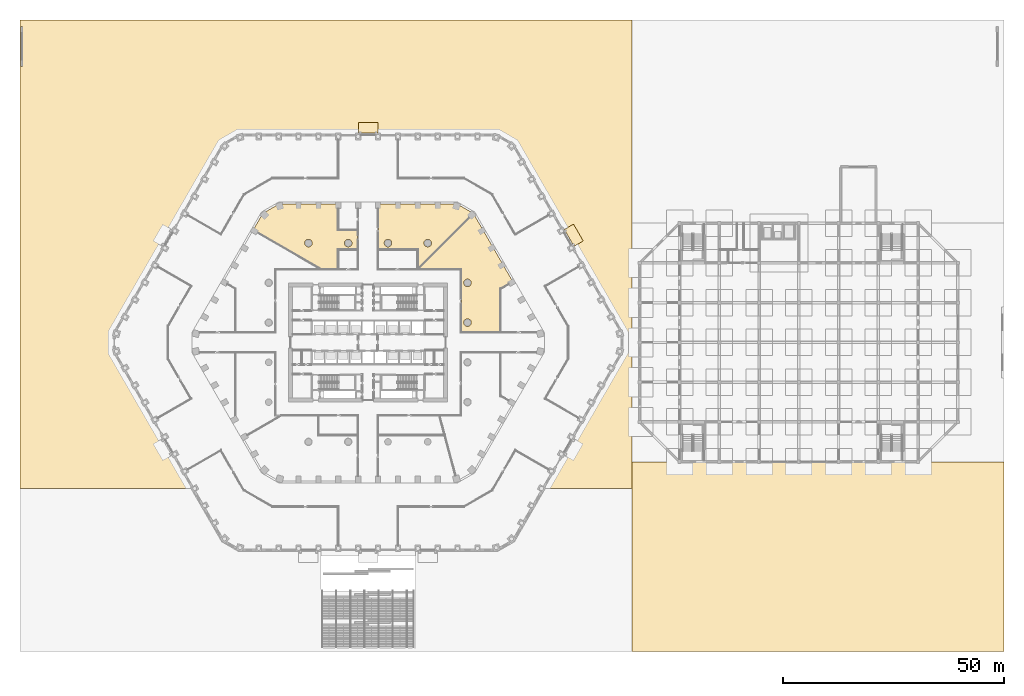
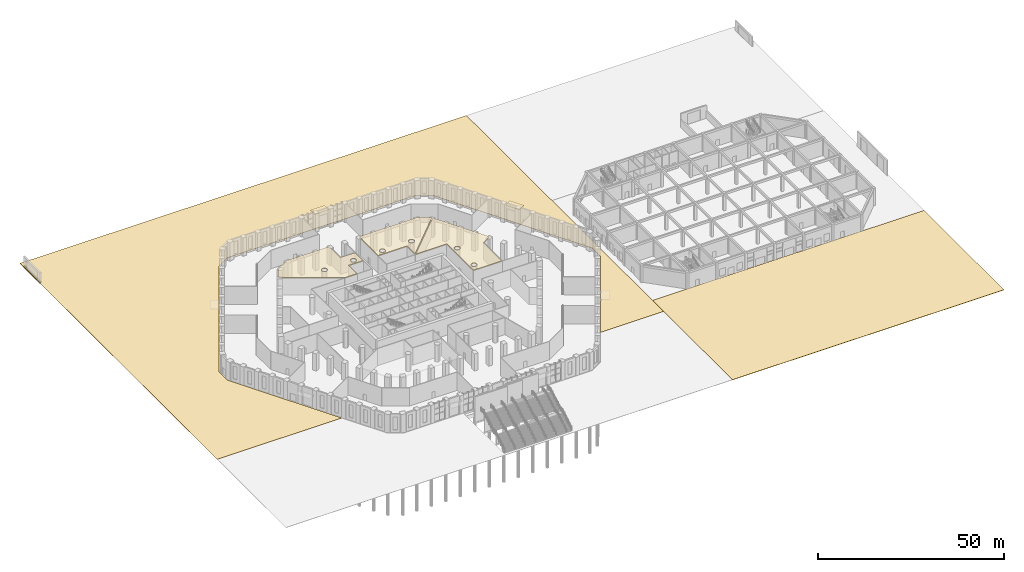
# One storey, part 37 of 44: 7 coverings.
"""IFC4 building model written with IfcOpenShell, lengths in metres."""

from ifc_helpers import new_model, si_unit, direction, frame, origin, origin_2d, place, context, subcontext, project, spatial, polyline, rectangle, outline, extrude, material, layer, layer_set, type_object, element, save


model = new_model("IFC4")

# Units and contexts
model_context = context("Model", 3, precision=1e-05, world=origin(), true_north=direction((0.0, 1.0)))
body_context = subcontext(model_context, "Body", "Model", "MODEL_VIEW")
ifc_project = project(units=[si_unit("LENGTHUNIT", "METRE"), si_unit("AREAUNIT", "SQUARE_METRE"), si_unit("VOLUMEUNIT", "CUBIC_METRE"), si_unit("PLANEANGLEUNIT", "RADIAN"), si_unit("MASSUNIT", "GRAM", prefix="KILO")], contexts=[model_context])

# Site, building, storey
site_placement = place(None, origin())
site = spatial("IfcSite", under=ifc_project, at=site_placement, CompositionType="ELEMENT")
building_placement = place(site_placement, origin())
building = spatial("IfcBuilding", under=site, at=building_placement, Name="Dhurran Vertical Campus", CompositionType="ELEMENT")
storey_placement = place(building_placement, origin())
storey = spatial("IfcBuildingStorey", under=building, at=storey_placement, Name="L00", CompositionType="ELEMENT", Elevation=0.0)

# Coverings
ifc_material_1 = material(Name="Precast concrete C50/60", Category="concrete")
ifc_layer_1 = layer(ifc_material_1, 0.14990234375)
ifc_layer_set_1 = layer_set([ifc_layer_1], Name="Precast concrete C50/60")
covering_type_1 = type_object("IfcCoveringType", Name="Entrance canopy precast 150", PredefinedType="USERDEFINED", material=ifc_layer_set_1)
for number, where, z_axis, x_axis, name in (
    (1, (46.561279296875, 24.2841796875, 4.60009765625), (0.0, 0.0, 1.0), (-0.5, 0.866025403784, 0.0), "CN1 D006 entrance canopy"),
    (2, (0.0, 48.568359375, 4.60009765625), (0.0, 0.0, 1.0), (-1.0, 0.0, 0.0), "CN1 D004 entrance canopy"),
):
    element("IfcCovering", number, at=place(storey_placement, frame(where, z_axis=z_axis, x_axis=x_axis)), inside=storey, type_object=covering_type_1, Name=name, ObjectType="CANOPY", PredefinedType="USERDEFINED", context=body_context, shape_type="SweptSolid", body=[
        extrude(rectangle(XDim=4.39990234375, YDim=2.39990234375, at=origin_2d()), origin(), (0.0, 0.0, 1.0), 0.14990234375),
    ])
ifc_material_2 = material(Name="Mineral fibre ceiling tiles on suspended grid")
ifc_layer_2 = layer(ifc_material_2, 0.35009765625)
ifc_layer_set_2 = layer_set([ifc_layer_2], Name="Mineral fibre ceiling tiles on suspended grid")
covering_type_2 = type_object("IfcCoveringType", Name="fl-CE-350 suspended ceiling", PredefinedType="CEILING", material=ifc_layer_set_2)
covering_1_placement = place(storey_placement, frame((0.0, 0.0, 5.25)))
element("IfcCovering", 3, at=covering_1_placement, inside=storey, type_object=covering_type_2, Name="Ceiling 00-23", PredefinedType="CEILING", context=body_context, shape_type="SweptSolid", body=[
    extrude(outline(polyline([(-20.137939453125, 31.360107421875), (-6.8701171875, 31.360107421875), (-6.8701171875, 25.3798828125), (-2.3701171875, 25.3798828125), (-2.3701171875, 21.1201171875), (-6.8701171875, 21.1201171875), (-6.8701171875, 16.6201171875), (-10.547119140625, 16.6201171875), (-25.972900390625, 25.527099609375), (-23.839111328125, 29.221923828125), (-20.137939453125, 31.360107421875)]), holes=[polyline([(-13.09912109375, 23.25), (-13.175048828125, 23.284912109375), (-13.2529296875, 23.31298828125), (-13.333984375, 23.333984375), (-13.4169921875, 23.345947265625), (-13.5, 23.35009765625), (-13.5830078125, 23.345947265625), (-13.666015625, 23.333984375), (-13.7470703125, 23.31298828125), (-13.824951171875, 23.284912109375), (-13.90087890625, 23.25), (-13.971923828125, 23.20703125), (-14.0390625, 23.156982421875), (-14.10107421875, 23.10107421875), (-14.156982421875, 23.0390625), (-14.20703125, 22.971923828125), (-14.25, 22.90087890625), (-14.284912109375, 22.824951171875), (-14.31298828125, 22.7470703125), (-14.333984375, 22.666015625), (-14.345947265625, 22.5830078125), (-14.35009765625, 22.5), (-14.345947265625, 22.4169921875), (-14.333984375, 22.333984375), (-14.31298828125, 22.2529296875), (-14.284912109375, 22.175048828125), (-14.25, 22.09912109375), (-14.20703125, 22.028076171875), (-14.156982421875, 21.9609375), (-14.10107421875, 21.89892578125), (-14.0390625, 21.843017578125), (-13.971923828125, 21.79296875), (-13.90087890625, 21.75), (-13.824951171875, 21.715087890625), (-13.7470703125, 21.68701171875), (-13.666015625, 21.666015625), (-13.5830078125, 21.654052734375), (-13.5, 21.64990234375), (-13.4169921875, 21.654052734375), (-13.333984375, 21.666015625), (-13.2529296875, 21.68701171875), (-13.175048828125, 21.715087890625), (-13.09912109375, 21.75), (-13.028076171875, 21.79296875), (-12.9609375, 21.843017578125), (-12.89892578125, 21.89892578125), (-12.843017578125, 21.9609375), (-12.79296875, 22.028076171875), (-12.75, 22.09912109375), (-12.715087890625, 22.175048828125), (-12.68701171875, 22.2529296875), (-12.666015625, 22.333984375), (-12.654052734375, 22.4169921875), (-12.64990234375, 22.5), (-12.654052734375, 22.5830078125), (-12.666015625, 22.666015625), (-12.68701171875, 22.7470703125), (-12.715087890625, 22.824951171875), (-12.75, 22.90087890625), (-12.79296875, 22.971923828125), (-12.843017578125, 23.0390625), (-12.89892578125, 23.10107421875), (-12.9609375, 23.156982421875), (-13.028076171875, 23.20703125), (-13.09912109375, 23.25)]), polyline([(-3.9609375, 23.156982421875), (-4.028076171875, 23.20703125), (-4.09912109375, 23.25), (-4.175048828125, 23.284912109375), (-4.2529296875, 23.31298828125), (-4.333984375, 23.333984375), (-4.4169921875, 23.345947265625), (-4.5, 23.35009765625), (-4.5830078125, 23.345947265625), (-4.666015625, 23.333984375), (-4.7470703125, 23.31298828125), (-4.824951171875, 23.284912109375), (-4.90087890625, 23.25), (-4.971923828125, 23.20703125), (-5.0390625, 23.156982421875), (-5.10107421875, 23.10107421875), (-5.156982421875, 23.0390625), (-5.20703125, 22.971923828125), (-5.25, 22.90087890625), (-5.284912109375, 22.824951171875), (-5.31298828125, 22.7470703125), (-5.333984375, 22.666015625), (-5.345947265625, 22.5830078125), (-5.35009765625, 22.5), (-5.345947265625, 22.4169921875), (-5.333984375, 22.333984375), (-5.31298828125, 22.2529296875), (-5.284912109375, 22.175048828125), (-5.25, 22.09912109375), (-5.20703125, 22.028076171875), (-5.156982421875, 21.9609375), (-5.10107421875, 21.89892578125), (-5.0390625, 21.843017578125), (-4.971923828125, 21.79296875), (-4.90087890625, 21.75), (-4.824951171875, 21.715087890625), (-4.7470703125, 21.68701171875), (-4.666015625, 21.666015625), (-4.5830078125, 21.654052734375), (-4.5, 21.64990234375), (-4.4169921875, 21.654052734375), (-4.333984375, 21.666015625), (-4.2529296875, 21.68701171875), (-4.175048828125, 21.715087890625), (-4.09912109375, 21.75), (-4.028076171875, 21.79296875), (-3.9609375, 21.843017578125), (-3.89892578125, 21.89892578125), (-3.843017578125, 21.9609375), (-3.79296875, 22.028076171875), (-3.75, 22.09912109375), (-3.715087890625, 22.175048828125), (-3.68701171875, 22.2529296875), (-3.666015625, 22.333984375), (-3.654052734375, 22.4169921875), (-3.64990234375, 22.5), (-3.654052734375, 22.5830078125), (-3.666015625, 22.666015625), (-3.68701171875, 22.7470703125), (-3.715087890625, 22.824951171875), (-3.75, 22.90087890625), (-3.79296875, 22.971923828125), (-3.843017578125, 23.0390625), (-3.89892578125, 23.10107421875), (-3.9609375, 23.156982421875)])]), origin(), (0.0, 0.0, 1.0), 0.35009765625),
])
covering_2_placement = place(storey_placement, frame((0.0, 0.0, 5.25)))
element("IfcCovering", 4, at=covering_2_placement, inside=storey, type_object=covering_type_2, Name="Ceiling 00-30", PredefinedType="CEILING", context=body_context, shape_type="SweptSolid", body=[
    extrude(outline(polyline([(2.3701171875, 21.1201171875), (2.3701171875, 31.360107421875), (20.137939453125, 31.360107421875), (23.73193359375, 29.283935546875), (11.3701171875, 16.923095703125), (11.3701171875, 21.1201171875), (2.3701171875, 21.1201171875)]), holes=[polyline([(5.156982421875, 23.0390625), (5.10107421875, 23.10107421875), (5.0390625, 23.156982421875), (4.971923828125, 23.20703125), (4.90087890625, 23.25), (4.824951171875, 23.284912109375), (4.7470703125, 23.31298828125), (4.666015625, 23.333984375), (4.5830078125, 23.345947265625), (4.5, 23.35009765625), (4.4169921875, 23.345947265625), (4.333984375, 23.333984375), (4.2529296875, 23.31298828125), (4.175048828125, 23.284912109375), (4.09912109375, 23.25), (4.028076171875, 23.20703125), (3.9609375, 23.156982421875), (3.89892578125, 23.10107421875), (3.843017578125, 23.0390625), (3.79296875, 22.971923828125), (3.75, 22.90087890625), (3.715087890625, 22.824951171875), (3.68701171875, 22.7470703125), (3.666015625, 22.666015625), (3.654052734375, 22.5830078125), (3.64990234375, 22.5), (3.654052734375, 22.4169921875), (3.666015625, 22.333984375), (3.68701171875, 22.2529296875), (3.715087890625, 22.175048828125), (3.75, 22.09912109375), (3.79296875, 22.028076171875), (3.843017578125, 21.9609375), (3.89892578125, 21.89892578125), (3.9609375, 21.843017578125), (4.028076171875, 21.79296875), (4.09912109375, 21.75), (4.175048828125, 21.715087890625), (4.2529296875, 21.68701171875), (4.333984375, 21.666015625), (4.4169921875, 21.654052734375), (4.5, 21.64990234375), (4.5830078125, 21.654052734375), (4.666015625, 21.666015625), (4.7470703125, 21.68701171875), (4.824951171875, 21.715087890625), (4.90087890625, 21.75), (4.971923828125, 21.79296875), (5.0390625, 21.843017578125), (5.10107421875, 21.89892578125), (5.156982421875, 21.9609375), (5.20703125, 22.028076171875), (5.25, 22.09912109375), (5.284912109375, 22.175048828125), (5.31298828125, 22.2529296875), (5.333984375, 22.333984375), (5.345947265625, 22.4169921875), (5.35009765625, 22.5), (5.345947265625, 22.5830078125), (5.333984375, 22.666015625), (5.31298828125, 22.7470703125), (5.284912109375, 22.824951171875), (5.25, 22.90087890625), (5.20703125, 22.971923828125), (5.156982421875, 23.0390625)]), polyline([(14.25, 22.90087890625), (14.20703125, 22.971923828125), (14.156982421875, 23.0390625), (14.10107421875, 23.10107421875), (14.0390625, 23.156982421875), (13.971923828125, 23.20703125), (13.90087890625, 23.25), (13.824951171875, 23.284912109375), (13.7470703125, 23.31298828125), (13.666015625, 23.333984375), (13.5830078125, 23.345947265625), (13.5, 23.35009765625), (13.4169921875, 23.345947265625), (13.333984375, 23.333984375), (13.2529296875, 23.31298828125), (13.175048828125, 23.284912109375), (13.09912109375, 23.25), (13.028076171875, 23.20703125), (12.9609375, 23.156982421875), (12.89892578125, 23.10107421875), (12.843017578125, 23.0390625), (12.79296875, 22.971923828125), (12.75, 22.90087890625), (12.715087890625, 22.824951171875), (12.68701171875, 22.7470703125), (12.666015625, 22.666015625), (12.654052734375, 22.5830078125), (12.64990234375, 22.5), (12.654052734375, 22.4169921875), (12.666015625, 22.333984375), (12.68701171875, 22.2529296875), (12.715087890625, 22.175048828125), (12.75, 22.09912109375), (12.79296875, 22.028076171875), (12.843017578125, 21.9609375), (12.89892578125, 21.89892578125), (12.9609375, 21.843017578125), (13.028076171875, 21.79296875), (13.09912109375, 21.75), (13.175048828125, 21.715087890625), (13.2529296875, 21.68701171875), (13.333984375, 21.666015625), (13.4169921875, 21.654052734375), (13.5, 21.64990234375), (13.5830078125, 21.654052734375), (13.666015625, 21.666015625), (13.7470703125, 21.68701171875), (13.824951171875, 21.715087890625), (13.90087890625, 21.75), (13.971923828125, 21.79296875), (14.0390625, 21.843017578125), (14.10107421875, 21.89892578125), (14.156982421875, 21.9609375), (14.20703125, 22.028076171875), (14.25, 22.09912109375), (14.284912109375, 22.175048828125), (14.31298828125, 22.2529296875), (14.333984375, 22.333984375), (14.345947265625, 22.4169921875), (14.35009765625, 22.5), (14.345947265625, 22.5830078125), (14.333984375, 22.666015625), (14.31298828125, 22.7470703125), (14.284912109375, 22.824951171875), (14.25, 22.90087890625)])]), origin(), (0.0, 0.0, 1.0), 0.35009765625),
])
covering_3_placement = place(storey_placement, frame((0.0, 0.0, 5.25)))
element("IfcCovering", 5, at=covering_3_placement, inside=storey, type_object=covering_type_2, Name="Ceiling 00-31", PredefinedType="CEILING", context=body_context, shape_type="SweptSolid", body=[
    extrude(outline(polyline([(32.722900390625, 13.8349609375), (29.8798828125, 12.193115234375), (29.8798828125, 2.3701171875), (21.1201171875, 2.3701171875), (21.1201171875, 16.6201171875), (11.406982421875, 16.6201171875), (23.90087890625, 29.114990234375), (32.722900390625, 13.8349609375)]), holes=[polyline([(23.333984375, 4.666015625), (23.31298828125, 4.7470703125), (23.284912109375, 4.824951171875), (23.25, 4.90087890625), (23.20703125, 4.971923828125), (23.156982421875, 5.0390625), (23.10107421875, 5.10107421875), (23.0390625, 5.156982421875), (22.971923828125, 5.20703125), (22.90087890625, 5.25), (22.824951171875, 5.284912109375), (22.7470703125, 5.31298828125), (22.666015625, 5.333984375), (22.5830078125, 5.345947265625), (22.5, 5.35009765625), (22.4169921875, 5.345947265625), (22.333984375, 5.333984375), (22.2529296875, 5.31298828125), (22.175048828125, 5.284912109375), (22.09912109375, 5.25), (22.028076171875, 5.20703125), (21.9609375, 5.156982421875), (21.89892578125, 5.10107421875), (21.843017578125, 5.0390625), (21.79296875, 4.971923828125), (21.75, 4.90087890625), (21.715087890625, 4.824951171875), (21.68701171875, 4.7470703125), (21.666015625, 4.666015625), (21.654052734375, 4.5830078125), (21.64990234375, 4.5), (21.654052734375, 4.4169921875), (21.666015625, 4.333984375), (21.68701171875, 4.2529296875), (21.715087890625, 4.175048828125), (21.75, 4.09912109375), (21.79296875, 4.028076171875), (21.843017578125, 3.9609375), (21.89892578125, 3.89892578125), (21.9609375, 3.843017578125), (22.028076171875, 3.79296875), (22.09912109375, 3.75), (22.175048828125, 3.715087890625), (22.2529296875, 3.68701171875), (22.333984375, 3.666015625), (22.4169921875, 3.654052734375), (22.5, 3.64990234375), (22.5830078125, 3.654052734375), (22.666015625, 3.666015625), (22.7470703125, 3.68701171875), (22.824951171875, 3.715087890625), (22.90087890625, 3.75), (22.971923828125, 3.79296875), (23.0390625, 3.843017578125), (23.10107421875, 3.89892578125), (23.156982421875, 3.9609375), (23.20703125, 4.028076171875), (23.25, 4.09912109375), (23.284912109375, 4.175048828125), (23.31298828125, 4.2529296875), (23.333984375, 4.333984375), (23.345947265625, 4.4169921875), (23.35009765625, 4.5), (23.345947265625, 4.5830078125), (23.333984375, 4.666015625)]), polyline([(23.345947265625, 13.5830078125), (23.333984375, 13.666015625), (23.31298828125, 13.7470703125), (23.284912109375, 13.824951171875), (23.25, 13.90087890625), (23.20703125, 13.971923828125), (23.156982421875, 14.0390625), (23.10107421875, 14.10107421875), (23.0390625, 14.156982421875), (22.971923828125, 14.20703125), (22.90087890625, 14.25), (22.824951171875, 14.284912109375), (22.7470703125, 14.31298828125), (22.666015625, 14.333984375), (22.5830078125, 14.345947265625), (22.5, 14.35009765625), (22.4169921875, 14.345947265625), (22.333984375, 14.333984375), (22.2529296875, 14.31298828125), (22.175048828125, 14.284912109375), (22.09912109375, 14.25), (22.028076171875, 14.20703125), (21.9609375, 14.156982421875), (21.89892578125, 14.10107421875), (21.843017578125, 14.0390625), (21.79296875, 13.971923828125), (21.75, 13.90087890625), (21.715087890625, 13.824951171875), (21.68701171875, 13.7470703125), (21.666015625, 13.666015625), (21.654052734375, 13.5830078125), (21.64990234375, 13.5), (21.654052734375, 13.4169921875), (21.666015625, 13.333984375), (21.68701171875, 13.2529296875), (21.715087890625, 13.175048828125), (21.75, 13.09912109375), (21.79296875, 13.028076171875), (21.843017578125, 12.9609375), (21.89892578125, 12.89892578125), (21.9609375, 12.843017578125), (22.028076171875, 12.79296875), (22.09912109375, 12.75), (22.175048828125, 12.715087890625), (22.2529296875, 12.68701171875), (22.333984375, 12.666015625), (22.4169921875, 12.654052734375), (22.5, 12.64990234375), (22.5830078125, 12.654052734375), (22.666015625, 12.666015625), (22.7470703125, 12.68701171875), (22.824951171875, 12.715087890625), (22.90087890625, 12.75), (22.971923828125, 12.79296875), (23.0390625, 12.843017578125), (23.10107421875, 12.89892578125), (23.156982421875, 12.9609375), (23.20703125, 13.028076171875), (23.25, 13.09912109375), (23.284912109375, 13.175048828125), (23.31298828125, 13.2529296875), (23.333984375, 13.333984375), (23.345947265625, 13.4169921875), (23.35009765625, 13.5), (23.345947265625, 13.5830078125)])]), origin(), (0.0, 0.0, 1.0), 0.35009765625),
])
ifc_material_3 = material(Name="Concrete C35/45", Category="concrete")
ifc_layer_3 = layer(ifc_material_3, 0.10009765625)
ifc_layer_set_3 = layer_set([ifc_layer_3], Name="Concrete C35/45")
covering_type_3 = type_object("IfcCoveringType", Name="st-ground paving 100", PredefinedType="USERDEFINED", material=ifc_layer_set_3)
covering_4_placement = place(storey_placement, frame((0.0, 0.0, -0.10009765625)))
element("IfcCovering", 6, at=covering_4_placement, inside=storey, type_object=covering_type_3, Name="Tower plaza paving B1", ObjectType="PAVING", PredefinedType="USERDEFINED", context=body_context, shape_type="SweptSolid", body=[
    extrude(outline(polyline([(-78.800048828125, -33.0), (-40.1435546875, -33.0), (-57.897216796875, -2.25), (-57.897216796875, 2.25), (-33.147216796875, 45.1181640625), (-29.25, 47.3681640625), (29.25, 47.3681640625), (33.147216796875, 45.1181640625), (57.897216796875, 2.25), (57.897216796875, -2.25), (40.1435546875, -33.0), (59.699951171875, -33.0), (59.699951171875, 73.0), (-78.800048828125, 73.0), (-78.800048828125, -33.0)]), holes=[polyline([(-78.199951171875, 71.5), (-78.199951171875, 62.5), (-78.60009765625, 62.5), (-78.60009765625, 71.5), (-78.199951171875, 71.5)])]), origin(), (0.0, 0.0, 1.0), 0.10009765625),
])
covering_5_placement = place(storey_placement, frame((0.0, 0.0, -0.10009765625)))
element("IfcCovering", 7, at=covering_5_placement, inside=storey, type_object=covering_type_3, Name="Hall south court paving C1", ObjectType="PAVING", PredefinedType="USERDEFINED", context=body_context, shape_type="SweptSolid", body=[
    extrude(outline(polyline([(143.949951171875, -27.0), (124.5, -27.0), (70.5, -27.0), (59.699951171875, -27.0), (59.699951171875, -69.949951171875), (143.949951171875, -69.949951171875), (143.949951171875, -27.0)])), origin(), (0.0, 0.0, 1.0), 0.10009765625),
])

save(model, "model.ifc")
